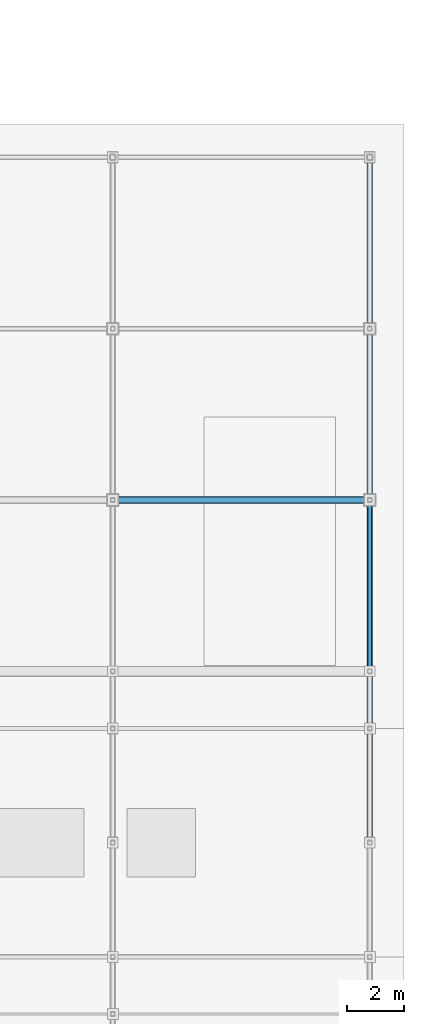
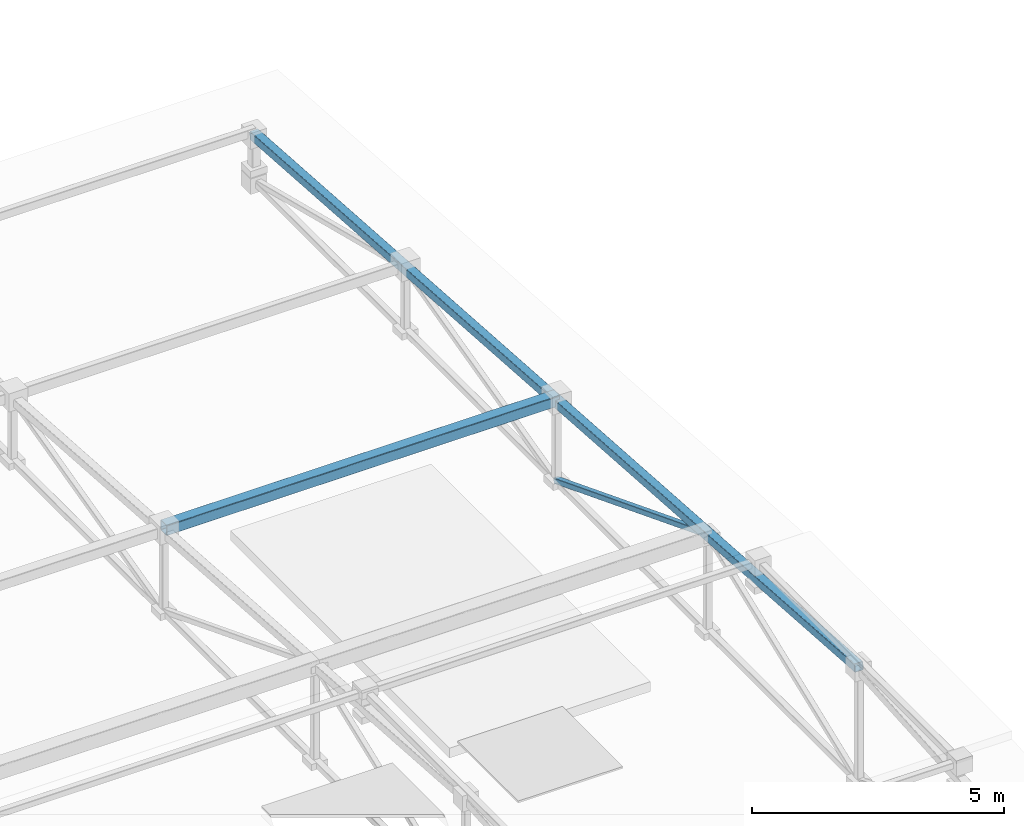
# One storey, part 43 of 85: 2 members, 1 beam.
"""IFC4 building model written with IfcOpenShell, lengths in metres."""

from ifc_helpers import new_model, si_unit, direction, frame, origin, origin_2d, place, context, subcontext, project, spatial, hollow_rectangle, extrude, material, material_profile, profile_set, type_object, element, save


model = new_model("IFC4")

# Units and contexts
model_context = context("Model", 3, precision=1e-05, world=origin(), true_north=direction((0.0, 1.0)))
body_context = subcontext(model_context, "Body", "Model", "MODEL_VIEW")
ifc_project = project(units=[si_unit("LENGTHUNIT", "METRE"), si_unit("AREAUNIT", "SQUARE_METRE"), si_unit("VOLUMEUNIT", "CUBIC_METRE"), si_unit("PLANEANGLEUNIT", "RADIAN"), si_unit("MASSUNIT", "GRAM", prefix="KILO"), si_unit("THERMODYNAMICTEMPERATUREUNIT", "KELVIN"), si_unit("POWERUNIT", "WATT")], contexts=[model_context])

# Site, building, storey
site_placement = place(None, origin())
site = spatial("IfcSite", under=ifc_project, at=site_placement, CompositionType="ELEMENT")
building_placement = place(site_placement, origin())
building = spatial("IfcBuilding", under=site, at=building_placement, Name="Zelmaris Science Centre", CompositionType="ELEMENT")
storey_placement = place(building_placement, frame((0.0, 0.0, 20.39990234375)))
storey = spatial("IfcBuildingStorey", under=building, at=storey_placement, Name="L04", CompositionType="ELEMENT", Elevation=20.39990234375)

# Beam
ifc_material = material(Name="Steel ASTM A500 Grade C", Category="steel")
ifc_material_profile_1 = material_profile(ifc_material, hollow_rectangle(XDim=0.203125, YDim=0.203125, WallThickness=0.01171875, InnerFilletRadius=0.01171875, OuterFilletRadius=0.023681640625, at=origin_2d()), Name="HSS203X203X13")
ifc_profile_set_1 = profile_set([ifc_material_profile_1], Name="Steel ASTM A500 Grade C")
beam_type = type_object("IfcBeamType", Name="Beam G-20 HSS203X203X13", PredefinedType="BEAM", material=ifc_profile_set_1)
beam_placement = place(storey_placement, frame((135.0, 32.0, 3.697998046875), z_axis=(0.0, 0.997644646858, -0.068594158611), x_axis=(-1.0, 0.0, 0.0)))
element("IfcBeam", 1, at=beam_placement, inside=storey, type_object=beam_type, Name="RF-V4 Roof truss 4 north top chord", PredefinedType="BEAM", context=body_context, shape_type="SweptSolid", body=[
    extrude(hollow_rectangle(XDim=0.203125, YDim=0.203125, WallThickness=0.01171875, InnerFilletRadius=0.01171875, OuterFilletRadius=0.023681640625, at=origin_2d()), origin(), (0.0, 0.0, 1.0), 24.056640625),
])

# Members
ifc_material_profile_2 = material_profile(ifc_material, hollow_rectangle(XDim=0.25390625, YDim=0.25390625, WallThickness=0.01171875, InnerFilletRadius=0.01171875, OuterFilletRadius=0.023681640625, at=origin_2d()), Name="HSS254X254X13")
ifc_profile_set_2 = profile_set([ifc_material_profile_2], Name="Steel ASTM A500 Grade C")
member_type_1 = type_object("IfcMemberType", Name="Roof Purlin PR-09 HSS254X254X13", PredefinedType="PURLIN", material=ifc_profile_set_2)
member_1_placement = place(storey_placement, frame((126.0, 44.0, 2.9423828125), z_axis=(1.0, 0.0, 0.0), x_axis=(0.0, 1.0, 0.0)))
element("IfcMember", 2, at=member_1_placement, inside=storey, type_object=member_type_1, Name="RF-V4 Roof purlin 22", PredefinedType="PURLIN", context=body_context, shape_type="SweptSolid", body=[
    extrude(hollow_rectangle(XDim=0.25390625, YDim=0.25390625, WallThickness=0.01171875, InnerFilletRadius=0.01171875, OuterFilletRadius=0.023681640625, at=origin_2d()), origin(), (0.0, 0.0, 1.0), 9.0),
])
ifc_material_profile_3 = material_profile(ifc_material, hollow_rectangle(XDim=0.126953125, YDim=0.126953125, WallThickness=0.00732421875, InnerFilletRadius=0.00732421875, OuterFilletRadius=0.014892578125, at=origin_2d()), Name="HSS127X127X8")
ifc_profile_set_3 = profile_set([ifc_material_profile_3], Name="Steel ASTM A500 Grade C")
member_type_2 = type_object("IfcMemberType", Name="Structural Brace BR-04 HSS127X127X8", PredefinedType="BRACE", material=ifc_profile_set_3)
member_2_placement = place(storey_placement, frame((135.0, 38.0, 3.285400390625), z_axis=(0.0, 0.93179104927, -0.362995097075), x_axis=(-1.0, 0.0, 0.0)))
element("IfcMember", 3, at=member_2_placement, inside=storey, type_object=member_type_2, Name="RF-V4 Roof truss 4 web diagonal 6", PredefinedType="BRACE", context=body_context, shape_type="SweptSolid", body=[
    extrude(hollow_rectangle(XDim=0.126953125, YDim=0.126953125, WallThickness=0.00732421875, InnerFilletRadius=0.00732421875, OuterFilletRadius=0.014892578125, at=origin_2d()), origin(), (0.0, 0.0, 1.0), 6.439208984375),
])

save(model, "model.ifc")
